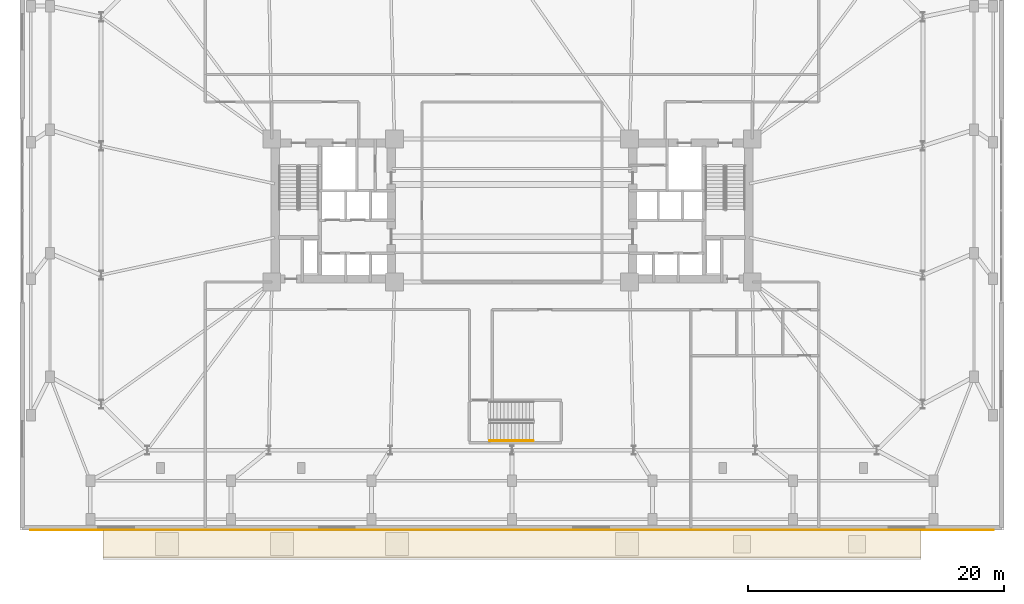
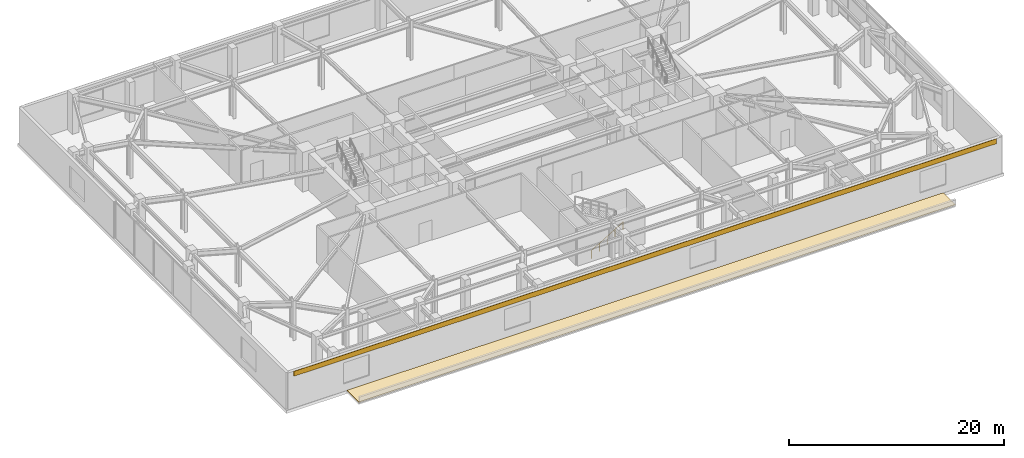
# One storey, part 19 of 21: 2 coverings, 1 railing.
"""IFC4 building model written with IfcOpenShell, lengths in metres."""

from ifc_helpers import new_model, si_unit, direction, frame, origin, origin_2d, place, context, subcontext, project, spatial, polyline, circle, outline, extrude, material, layer, layer_set, type_object, element, save


model = new_model("IFC4")

# Units and contexts
model_context = context("Model", 3, precision=1e-05, world=origin(), true_north=direction((0.0, 1.0)))
body_context = subcontext(model_context, "Body", "Model", "MODEL_VIEW")
ifc_project = project(units=[si_unit("LENGTHUNIT", "METRE"), si_unit("AREAUNIT", "SQUARE_METRE"), si_unit("VOLUMEUNIT", "CUBIC_METRE"), si_unit("PLANEANGLEUNIT", "RADIAN"), si_unit("MASSUNIT", "GRAM", prefix="KILO")], contexts=[model_context])

# Site, building, storey
site_placement = place(None, origin())
site = spatial("IfcSite", under=ifc_project, at=site_placement, CompositionType="ELEMENT")
building_placement = place(site_placement, origin())
building = spatial("IfcBuilding", under=site, at=building_placement, Name="Qobustan Lattice House", CompositionType="ELEMENT")
storey_placement = place(building_placement, frame((0.0, 0.0, 4.5)))
storey = spatial("IfcBuildingStorey", under=building, at=storey_placement, Name="L01", CompositionType="ELEMENT", Elevation=4.5)

# Coverings
ifc_material_1 = material(Name="Insulated stone-ballasted roof membrane", Category="masonry")
ifc_layer_1 = layer(ifc_material_1, 0.050048828125)
ifc_layer_set_1 = layer_set([ifc_layer_1], Name="Insulated stone-ballasted roof membrane")
covering_type_1 = type_object("IfcCoveringType", Name="COV-ROOF-MEMB", PredefinedType="ROOFING", material=ifc_layer_set_1)
covering_1_placement = place(storey_placement, origin())
element("IfcCovering", 1, at=covering_1_placement, inside=storey, type_object=covering_type_1, Name="L01 setback roof membrane 1", PredefinedType="ROOFING", context=body_context, shape_type="SweptSolid", body=[
    extrude(outline(polyline([(-32.0, -27.199951171875), (32.0, -27.199951171875), (32.0, -25.0), (-32.0, -25.0), (-32.0, -27.199951171875)])), origin(), (0.0, 0.0, 1.0), 0.050048828125),
])
ifc_material_2 = material(Name="Qobustan buff limestone cladding", Category="masonry")
ifc_layer_2 = layer(ifc_material_2, 0.044921875)
ifc_layer_set_2 = layer_set([ifc_layer_2], Name="Qobustan buff limestone cladding")
covering_type_2 = type_object("IfcCoveringType", Name="COV-STONE-CLAD", PredefinedType="CLADDING", material=ifc_layer_set_2)
covering_2_placement = place(storey_placement, frame((0.0, 0.0, 3.6201171875)))
element("IfcCovering", 2, at=covering_2_placement, inside=storey, type_object=covering_type_2, Name="L01 S Qobustan limestone cornice band", PredefinedType="CLADDING", context=body_context, shape_type="SweptSolid", body=[
    extrude(outline(polyline([(37.699951171875, -24.9580078125), (37.699951171875, -25.0029296875), (-37.699951171875, -25.0029296875), (-37.699951171875, -24.9580078125), (37.699951171875, -24.9580078125)])), origin(), (0.0, 0.0, 1.0), 0.5498046875),
])

# Railing
ifc_material_3 = material(Name="Brushed stainless steel handrail", Category="steel")
railing_type = type_object("IfcRailingType", Name="RAL-HR-920", PredefinedType="HANDRAIL", material=ifc_material_3)
railing_placement = place(storey_placement, frame((-1.75, -18.010009765625, 0.173095703125)))
element("IfcRailing", 3, at=railing_placement, inside=storey, type_object=railing_type, Name="L01 ST-P1 stair handrail 1", PredefinedType="HANDRAIL", context=body_context, shape_type="SweptSolid", body=[
    extrude(circle(Radius=0.02392578125, at=origin_2d()), frame((0.0, 0.0, 0.8759765625), z_axis=(0.854729506542, 0.0, 0.519073665916), x_axis=(0.0, 1.0, 0.0)), (0.0, 0.0, 1.0), 4.001220703125),
    extrude(circle(Radius=0.02099609375, at=origin_2d()), origin(), (0.0, 0.0, 1.0), 0.851806640625),
    extrude(circle(Radius=0.02099609375, at=origin_2d()), frame((0.85498046875, 0.0, 0.519287109375)), (0.0, 0.0, 1.0), 0.851806640625),
    extrude(circle(Radius=0.02099609375, at=origin_2d()), frame((1.7099609375, 0.0, 1.03857421875)), (0.0, 0.0, 1.0), 0.851806640625),
    extrude(circle(Radius=0.02099609375, at=origin_2d()), frame((2.56494140625, 0.0, 1.5576171875)), (0.0, 0.0, 1.0), 0.851806640625),
    extrude(circle(Radius=0.02099609375, at=origin_2d()), frame((3.419921875, 0.0, 2.076904296875)), (0.0, 0.0, 1.0), 0.851806640625),
])

save(model, "model.ifc")
